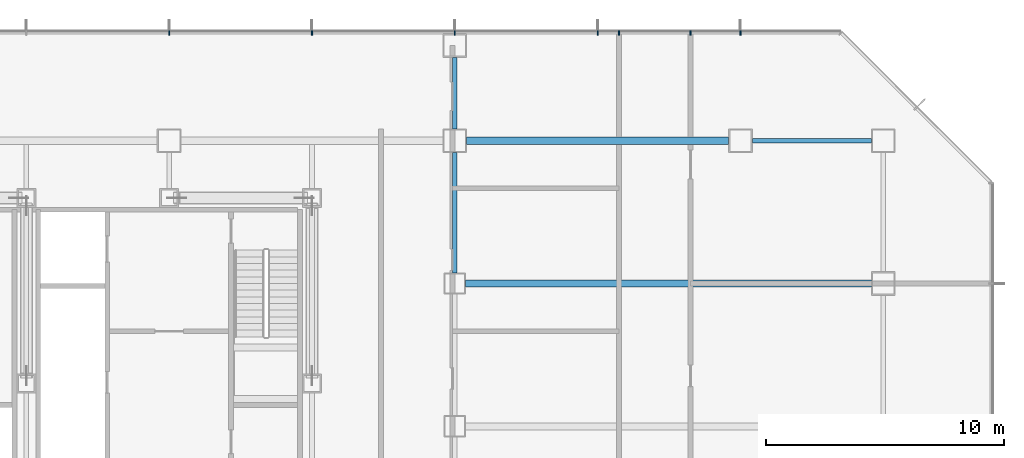
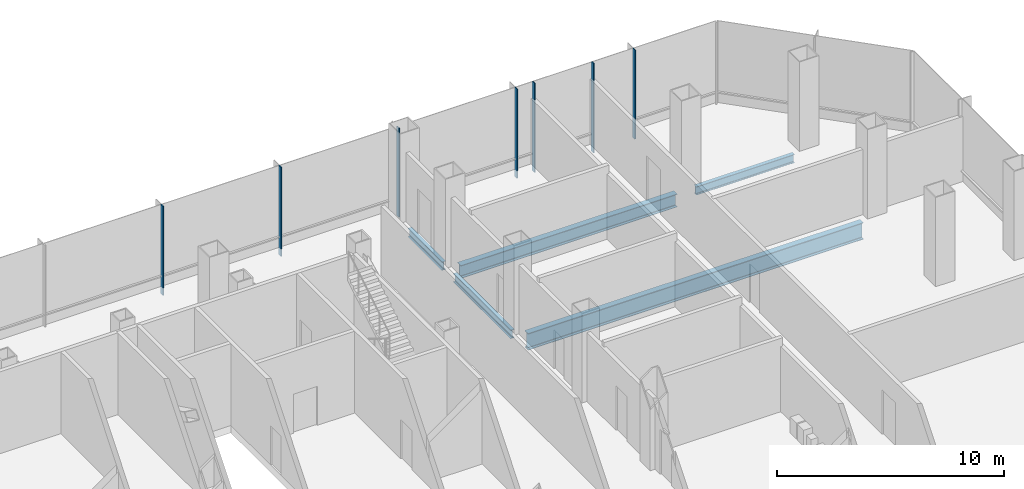
# One storey, part 16 of 33: 7 members, 5 beams, 1 element without a shape of its own.
"""IFC4 building model written with IfcOpenShell, lengths in metres."""

from ifc_helpers import new_model, si_unit, direction, frame, origin, origin_2d, place, context, subcontext, project, spatial, rectangle, i_section, extrude, material, material_profile, profile_set, type_object, element, aggregate, save


model = new_model("IFC4")

# Units and contexts
model_context = context("Model", 3, precision=1e-05, world=origin(), true_north=direction((0.0, 1.0)))
body_context = subcontext(model_context, "Body", "Model", "MODEL_VIEW")
ifc_project = project(units=[si_unit("LENGTHUNIT", "METRE"), si_unit("AREAUNIT", "SQUARE_METRE"), si_unit("VOLUMEUNIT", "CUBIC_METRE"), si_unit("PLANEANGLEUNIT", "RADIAN"), si_unit("MASSUNIT", "GRAM", prefix="KILO")], contexts=[model_context])

# Site, building, storey
site_placement = place(None, origin())
site = spatial("IfcSite", under=ifc_project, at=site_placement, CompositionType="ELEMENT")
building_placement = place(site_placement, origin())
building = spatial("IfcBuilding", under=site, at=building_placement, Name="Sorahane Residences", CompositionType="ELEMENT")
storey_placement = place(building_placement, frame((0.0, 0.0, 34.800048828125)))
storey = spatial("IfcBuildingStorey", under=building, at=storey_placement, Name="L05", CompositionType="ELEMENT", Elevation=34.800048828125)

# Curtain wall, members
ifc_material_1 = material(Name="Dark low-e glass and black anodised aluminium", Category="aluminium")
curtain_wall_type = type_object("IfcCurtainWallType", Name="Curtain wall CW-3 Podium unitised wall", PredefinedType="NOTDEFINED", material=ifc_material_1)
curtain_wall_placement = place(storey_placement, origin())
curtain_wall = element("IfcCurtainWall", 1, at=curtain_wall_placement, inside=storey, type_object=curtain_wall_type, Name="CW-3 curtain wall L05 N1", PredefinedType="NOTDEFINED")
ifc_material_2 = material(Name="Black anodised aluminium", Category="aluminium")
ifc_material_profile_1 = material_profile(ifc_material_2, rectangle(XDim=0.199951171875, YDim=0.050048828125, at=origin_2d()), Name="Curtain wall mullion CW-3 black anodised aluminium 50x200")
ifc_profile_set_1 = profile_set([ifc_material_profile_1], Name="Black anodised aluminium")
member_type = type_object("IfcMemberType", Name="Curtain wall mullion CW-3 black anodised aluminium 50x200", PredefinedType="MULLION", material=ifc_profile_set_1)
member_1_placement = place(storey_placement, frame((60.0, 52.52001953125, -0.400146484375), z_axis=(0.0, 0.0, 1.0), x_axis=(0.0, 1.0, 0.0)))
member_1 = element("IfcMember", 2, at=member_1_placement, type_object=member_type, Name="CW-3 mullion L05 N1.2", PredefinedType="MULLION", context=body_context, shape_type="SweptSolid", body=[
    extrude(rectangle(XDim=0.199951171875, YDim=0.050048828125, at=origin_2d()), origin(), (0.0, 0.0, 1.0), 4.800048828125),
])
member_2_placement = place(storey_placement, frame((57.89990234375, 52.52001953125, -0.400146484375), z_axis=(0.0, 0.0, 1.0), x_axis=(0.0, 1.0, 0.0)))
member_2 = element("IfcMember", 3, at=member_2_placement, type_object=member_type, Name="CW-3 mullion L05 N1.3", PredefinedType="MULLION", context=body_context, shape_type="SweptSolid", body=[
    extrude(rectangle(XDim=0.199951171875, YDim=0.050048828125, at=origin_2d()), origin(), (0.0, 0.0, 1.0), 4.800048828125),
])
member_3_placement = place(storey_placement, frame((54.89990234375, 52.52001953125, -0.400146484375), z_axis=(0.0, 0.0, 1.0), x_axis=(0.0, 1.0, 0.0)))
member_3 = element("IfcMember", 4, at=member_3_placement, type_object=member_type, Name="CW-3 mullion L05 N1.4", PredefinedType="MULLION", context=body_context, shape_type="SweptSolid", body=[
    extrude(rectangle(XDim=0.199951171875, YDim=0.050048828125, at=origin_2d()), origin(), (0.0, 0.0, 1.0), 4.800048828125),
])
member_4_placement = place(storey_placement, frame((54.0, 52.52001953125, -0.400146484375), z_axis=(0.0, 0.0, 1.0), x_axis=(0.0, 1.0, 0.0)))
member_4 = element("IfcMember", 5, at=member_4_placement, type_object=member_type, Name="CW-3 mullion L05 N1.5", PredefinedType="MULLION", context=body_context, shape_type="SweptSolid", body=[
    extrude(rectangle(XDim=0.199951171875, YDim=0.050048828125, at=origin_2d()), origin(), (0.0, 0.0, 1.0), 4.800048828125),
])
member_5_placement = place(storey_placement, frame((48.0, 52.52001953125, -0.400146484375), z_axis=(0.0, 0.0, 1.0), x_axis=(0.0, 1.0, 0.0)))
member_5 = element("IfcMember", 6, at=member_5_placement, type_object=member_type, Name="CW-3 mullion L05 N1.6", PredefinedType="MULLION", context=body_context, shape_type="SweptSolid", body=[
    extrude(rectangle(XDim=0.199951171875, YDim=0.050048828125, at=origin_2d()), origin(), (0.0, 0.0, 1.0), 4.800048828125),
])
member_6_placement = place(storey_placement, frame((42.0, 52.52001953125, -0.400146484375), z_axis=(0.0, 0.0, 1.0), x_axis=(0.0, 1.0, 0.0)))
member_6 = element("IfcMember", 7, at=member_6_placement, type_object=member_type, Name="CW-3 mullion L05 N1.7", PredefinedType="MULLION", context=body_context, shape_type="SweptSolid", body=[
    extrude(rectangle(XDim=0.199951171875, YDim=0.050048828125, at=origin_2d()), origin(), (0.0, 0.0, 1.0), 4.800048828125),
])
member_7_placement = place(storey_placement, frame((36.0, 52.52001953125, -0.400146484375), z_axis=(0.0, 0.0, 1.0), x_axis=(0.0, 1.0, 0.0)))
member_7 = element("IfcMember", 8, at=member_7_placement, type_object=member_type, Name="CW-3 mullion L05 N1.8", PredefinedType="MULLION", context=body_context, shape_type="SweptSolid", body=[
    extrude(rectangle(XDim=0.199951171875, YDim=0.050048828125, at=origin_2d()), origin(), (0.0, 0.0, 1.0), 4.800048828125),
])
aggregate(curtain_wall, [member_1, member_2, member_3, member_4, member_5, member_6, member_7])

# Beams
ifc_material_3 = material(Name="Steel Q355B", Category="steel")
ifc_material_profile_2 = material_profile(ifc_material_3, i_section(OverallWidth=0.199951171875, OverallDepth=0.449951171875, WebThickness=0.009033203125, FlangeThickness=0.013916015625, FilletRadius=0.02001953125, at=origin_2d()), Name="HN 450x200x9x14")
ifc_profile_set_2 = profile_set([ifc_material_profile_2], Name="Steel Q355B")
beam_type_1 = type_object("IfcBeamType", Name="Steel floor beam HN 450x200x9x14 Q355B", PredefinedType="BEAM", material=ifc_profile_set_2)
beam_1_placement = place(storey_placement, frame((60.5, 48.0, -0.625), z_axis=(1.0, 0.0, 0.0), x_axis=(0.0, 1.0, 0.0)))
element("IfcBeam", 9, at=beam_1_placement, inside=storey, type_object=beam_type_1, Name="Beam L05 023", PredefinedType="BEAM", context=body_context, shape_type="SweptSolid", body=[
    extrude(i_section(OverallWidth=0.199951171875, OverallDepth=0.449951171875, WebThickness=0.009033203125, FlangeThickness=0.013916015625, FilletRadius=0.02001953125, at=origin_2d()), origin(), (0.0, 0.0, 1.0), 5.0),
])
beam_2_placement = place(storey_placement, frame((48.0, 42.449951171875, -0.625), z_axis=(0.0, 1.0, 0.0), x_axis=(-1.0, 0.0, 0.0)))
element("IfcBeam", 10, at=beam_2_placement, inside=storey, type_object=beam_type_1, Name="Beam L05 068", PredefinedType="BEAM", context=body_context, shape_type="SweptSolid", body=[
    extrude(i_section(OverallWidth=0.199951171875, OverallDepth=0.449951171875, WebThickness=0.009033203125, FlangeThickness=0.013916015625, FilletRadius=0.02001953125, at=origin_2d()), origin(), (0.0, 0.0, 1.0), 5.050048828125),
])
beam_3_placement = place(storey_placement, frame((48.0, 48.5, -0.625), z_axis=(0.0, 1.0, 0.0), x_axis=(-1.0, 0.0, 0.0)))
element("IfcBeam", 11, at=beam_3_placement, inside=storey, type_object=beam_type_1, Name="Beam L05 069", PredefinedType="BEAM", context=body_context, shape_type="SweptSolid", body=[
    extrude(i_section(OverallWidth=0.199951171875, OverallDepth=0.449951171875, WebThickness=0.009033203125, FlangeThickness=0.013916015625, FilletRadius=0.02001953125, at=origin_2d()), origin(), (0.0, 0.0, 1.0), 3.0),
])
ifc_material_4 = material(Name="Steel Q355B", Category="steel")
ifc_material_profile_3 = material_profile(ifc_material_4, i_section(OverallWidth=0.300048828125, OverallDepth=0.699951171875, WebThickness=0.012939453125, FlangeThickness=0.02392578125, FilletRadius=0.028076171875, at=origin_2d()), Name="HN 700x300x13x24")
ifc_profile_set_3 = profile_set([ifc_material_profile_3], Name="Steel Q355B")
beam_type_2 = type_object("IfcBeamType", Name="Steel floor beam HN 700x300x13x24 Q355B", PredefinedType="BEAM", material=ifc_profile_set_3)
beam_4_placement = place(storey_placement, frame((48.5, 48.0, -0.75), z_axis=(1.0, 0.0, 0.0), x_axis=(0.0, 1.0, 0.0)))
element("IfcBeam", 12, at=beam_4_placement, inside=storey, type_object=beam_type_2, Name="Beam L05 022", PredefinedType="BEAM", context=body_context, shape_type="SweptSolid", body=[
    extrude(i_section(OverallWidth=0.300048828125, OverallDepth=0.699951171875, WebThickness=0.012939453125, FlangeThickness=0.02392578125, FilletRadius=0.028076171875, at=origin_2d()), origin(), (0.0, 0.0, 1.0), 11.0),
])
ifc_material_5 = material(Name="Steel Q355B", Category="steel")
ifc_material_profile_4 = material_profile(ifc_material_5, i_section(OverallWidth=0.300048828125, OverallDepth=0.89990234375, WebThickness=0.01611328125, FlangeThickness=0.028076171875, FilletRadius=0.028076171875, at=origin_2d()), Name="HN 900x300x16x28")
ifc_profile_set_4 = profile_set([ifc_material_profile_4], Name="Steel Q355B")
beam_type_3 = type_object("IfcBeamType", Name="Steel floor beam HN 900x300x16x28 Q355B", PredefinedType="BEAM", material=ifc_profile_set_4)
beam_5_placement = place(storey_placement, frame((48.4501953125, 42.0, -0.85009765625), z_axis=(1.0, 0.0, 0.0), x_axis=(0.0, 1.0, 0.0)))
element("IfcBeam", 13, at=beam_5_placement, inside=storey, type_object=beam_type_3, Name="Beam L05 086", PredefinedType="BEAM", context=body_context, shape_type="SweptSolid", body=[
    extrude(i_section(OverallWidth=0.300048828125, OverallDepth=0.89990234375, WebThickness=0.01611328125, FlangeThickness=0.028076171875, FilletRadius=0.028076171875, at=origin_2d()), origin(), (0.0, 0.0, 1.0), 17.049560546875),
])

save(model, "model.ifc")
